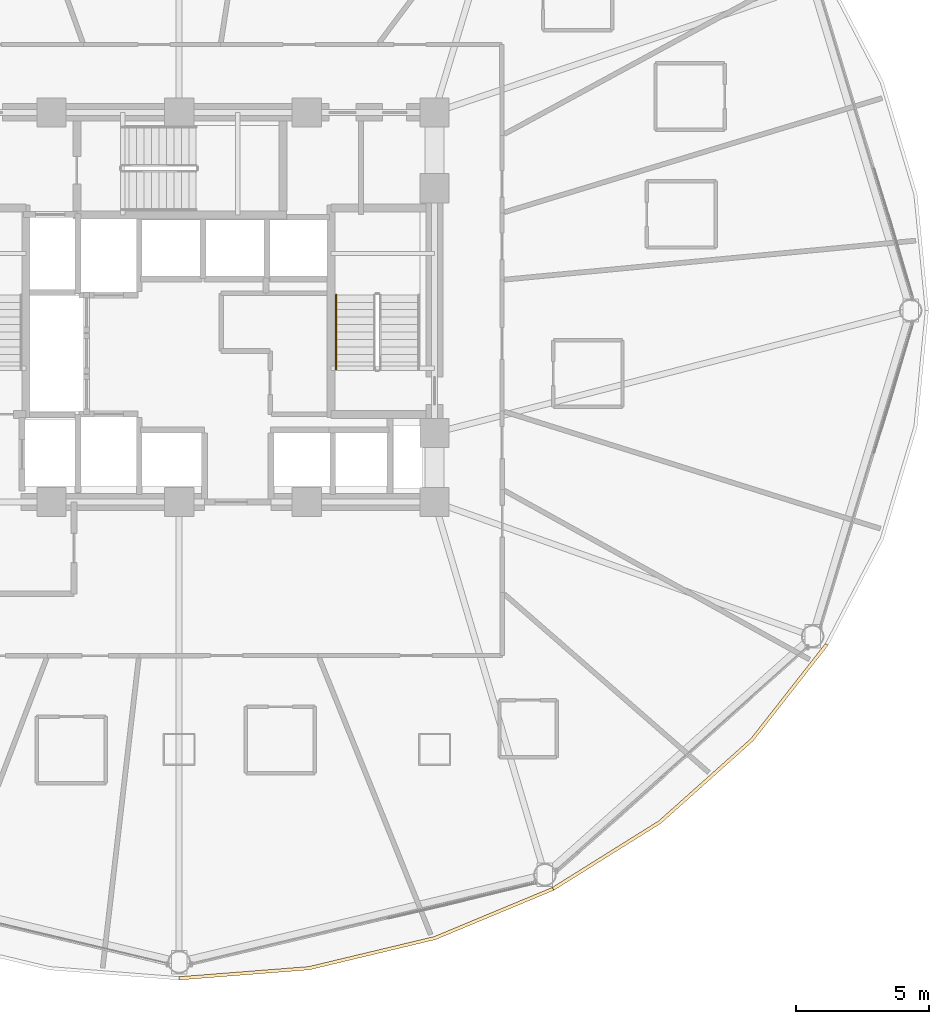
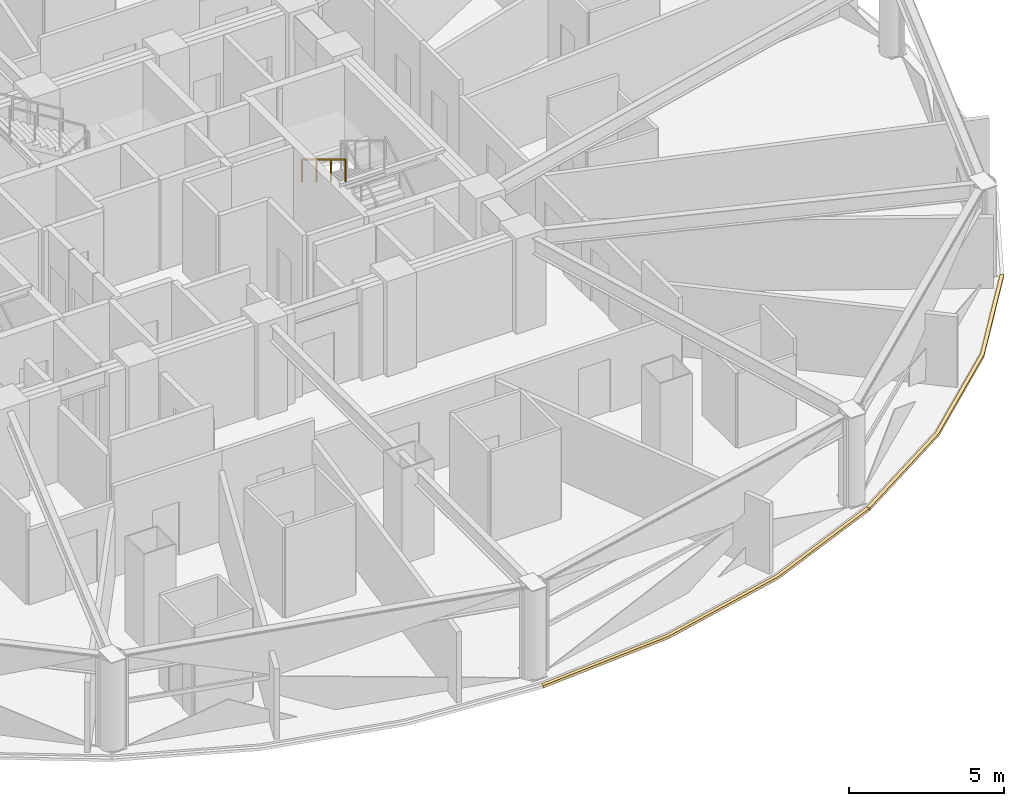
# One storey, part 28 of 30: 2 coverings, 1 railing.
"""IFC4 building model written with IfcOpenShell, lengths in metres."""

from ifc_helpers import new_model, si_unit, direction, frame, origin, origin_2d, place, context, subcontext, project, spatial, polyline, rectangle, outline, extrude, material, layer, layer_set, type_object, element, save


model = new_model("IFC4")

# Units and contexts
model_context = context("Model", 3, precision=1e-05, world=origin(), true_north=direction((0.0, 1.0)))
body_context = subcontext(model_context, "Body", "Model", "MODEL_VIEW")
ifc_project = project(units=[si_unit("LENGTHUNIT", "METRE"), si_unit("AREAUNIT", "SQUARE_METRE"), si_unit("VOLUMEUNIT", "CUBIC_METRE"), si_unit("PLANEANGLEUNIT", "RADIAN"), si_unit("MASSUNIT", "GRAM", prefix="KILO")], contexts=[model_context])

# Site, building, storey
site_placement = place(None, origin())
site = spatial("IfcSite", under=ifc_project, at=site_placement, CompositionType="ELEMENT")
building_placement = place(site_placement, origin())
building = spatial("IfcBuilding", under=site, at=building_placement, Name="Vantalir Tower", CompositionType="ELEMENT")
storey_placement = place(building_placement, frame((0.0, 0.0, 83.25)))
storey = spatial("IfcBuildingStorey", under=building, at=storey_placement, Name="L20", CompositionType="ELEMENT", Elevation=83.25)

# Coverings
ifc_material_1 = material(Name="Anodised champagne aluminium sill fascia", Category="aluminium")
ifc_layer = layer(ifc_material_1, 0.125)
ifc_layer_set = layer_set([ifc_layer], Name="Anodised champagne aluminium sill fascia")
covering_type = type_object("IfcCoveringType", Name="COV-SLAB-FASCIA-125", PredefinedType="CLADDING", material=ifc_layer_set)
covering_1_placement = place(storey_placement, frame((0.0, 0.0, -0.179931640625)))
element("IfcCovering", 1, at=covering_1_placement, inside=storey, type_object=covering_type, Name="L20 Perimeter Slab-Edge Sill Fascia 10", PredefinedType="CLADDING", context=body_context, shape_type="SweptSolid", body=[
    extrude(outline(polyline([(31.5, -0.169921875), (36.39306640625, 0.2119140625), (41.135986328125, 1.347900390625), (45.587890625, 3.201904296875), (45.52490234375, 3.31005859375), (41.093994140625, 1.465087890625), (36.37109375, 0.3349609375), (31.5, -0.044921875), (31.5, -0.169921875)])), origin(), (0.0, 0.0, 1.0), 0.10498046875),
])
covering_2_placement = place(storey_placement, frame((0.0, 0.0, -0.179931640625)))
element("IfcCovering", 2, at=covering_2_placement, inside=storey, type_object=covering_type, Name="L20 Perimeter Slab-Edge Sill Fascia 11", PredefinedType="CLADDING", context=body_context, shape_type="SweptSolid", body=[
    extrude(outline(polyline([(45.587890625, 3.201904296875), (49.611083984375, 5.718994140625), (53.0830078125, 8.821044921875), (55.89990234375, 12.4150390625), (55.7919921875, 12.47705078125), (52.988037109375, 8.90087890625), (49.530029296875, 5.81396484375), (45.52490234375, 3.31005859375), (45.587890625, 3.201904296875)])), origin(), (0.0, 0.0, 1.0), 0.10498046875),
])

# Railing
ifc_material_2 = material(Name="Brushed stainless steel tubular handrail", Category="steel")
railing_type = type_object("IfcRailingType", Name="RAL-HANDRAIL-900", PredefinedType="HANDRAIL", material=ifc_material_2)
railing_placement = place(storey_placement, frame((37.39990234375, 25.590087890625, 2.04541015625)))
element("IfcRailing", 3, at=railing_placement, inside=storey, type_object=railing_type, Name="L20 ST2 stair handrail 2", PredefinedType="HANDRAIL", context=body_context, shape_type="SweptSolid", body=[
    extrude(rectangle(XDim=0.048095703125, YDim=0.048095703125, at=origin_2d()), frame((0.0, 0.0, 0.8759765625), z_axis=(0.0, -0.854169791009, 0.51999420009), x_axis=(1.0, 0.0, 0.0)), (0.0, 0.0, 1.0), 3.278076171875),
    extrude(rectangle(XDim=0.0419921875, YDim=0.0419921875, at=origin_2d()), origin(), (0.0, 0.0, 1.0), 0.851806640625),
    extrude(rectangle(XDim=0.0419921875, YDim=0.0419921875, at=origin_2d()), frame((0.0, -0.933349609375, 0.568115234375)), (0.0, 0.0, 1.0), 0.851806640625),
    extrude(rectangle(XDim=0.0419921875, YDim=0.0419921875, at=origin_2d()), frame((0.0, -1.86669921875, 1.136474609375)), (0.0, 0.0, 1.0), 0.851806640625),
    extrude(rectangle(XDim=0.0419921875, YDim=0.0419921875, at=origin_2d()), frame((0.0, -2.800048828125, 1.70458984375)), (0.0, 0.0, 1.0), 0.851806640625),
])

save(model, "model.ifc")
